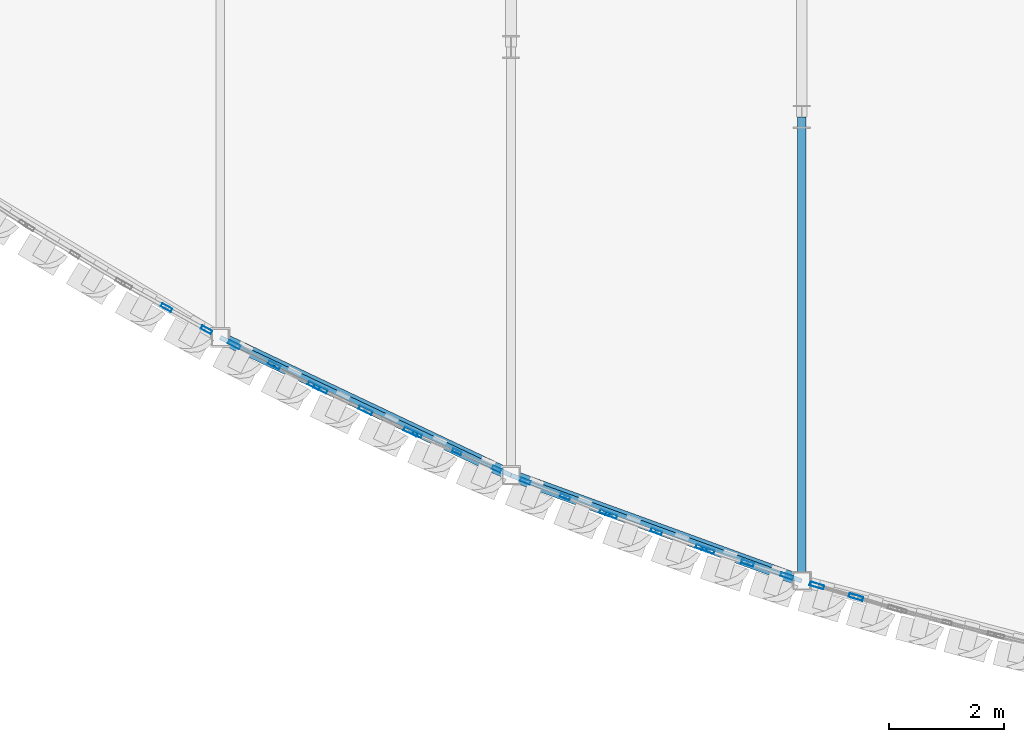
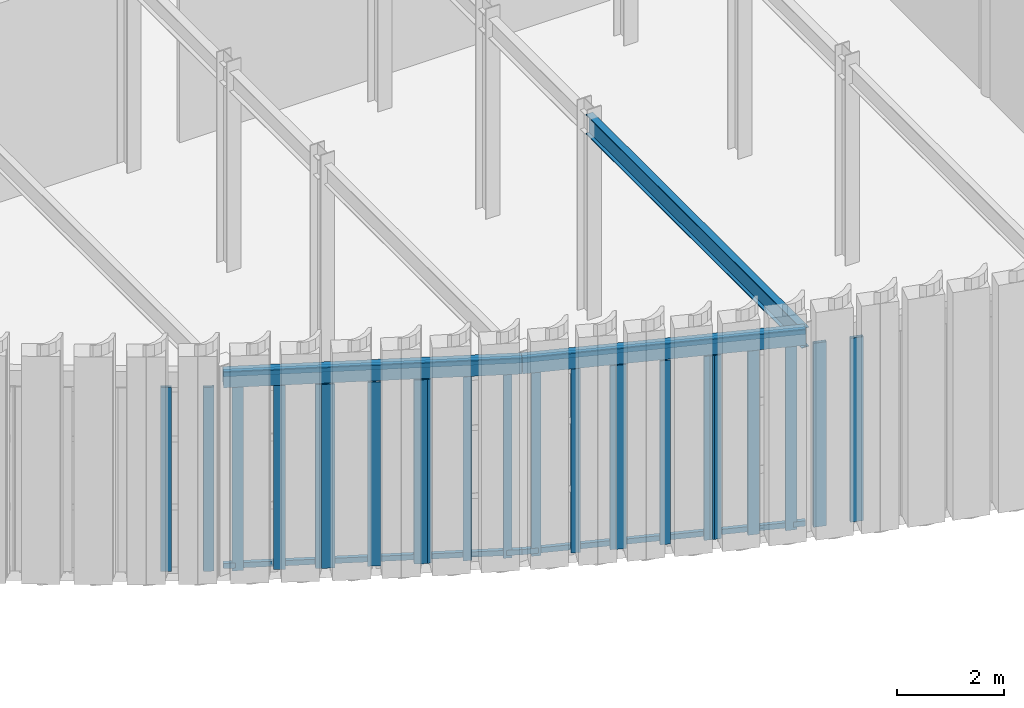
# One storey, part 18 of 126: 26 members, 3 beams, 8 elements without a shape of their own.
"""IFC4 building model written with IfcOpenShell, lengths in metres."""

from ifc_helpers import new_model, si_unit, direction, frame, origin, origin_2d, place, context, subcontext, project, spatial, hollow_rectangle, i_section, extrude, material, layer, layer_set, material_profile, profile_set, type_object, element, aggregate, save


model = new_model("IFC4")

# Units and contexts
model_context = context("Model", 3, precision=1e-05, world=origin(), true_north=direction((0.0, 1.0)))
body_context = subcontext(model_context, "Body", "Model", "MODEL_VIEW")
ifc_project = project(units=[si_unit("LENGTHUNIT", "METRE"), si_unit("AREAUNIT", "SQUARE_METRE"), si_unit("VOLUMEUNIT", "CUBIC_METRE"), si_unit("PLANEANGLEUNIT", "RADIAN"), si_unit("MASSUNIT", "GRAM", prefix="KILO")], contexts=[model_context])

# Site, building, storey
site_placement = place(None, origin())
site = spatial("IfcSite", under=ifc_project, at=site_placement, CompositionType="ELEMENT")
building_placement = place(site_placement, origin())
building = spatial("IfcBuilding", under=site, at=building_placement, Name="Solvadek Multi-Sports Hall", CompositionType="ELEMENT")
storey_placement = place(building_placement, frame((0.0, 0.0, 9.60009765625)))
storey = spatial("IfcBuildingStorey", under=building, at=storey_placement, Name="L02", CompositionType="ELEMENT", Elevation=9.60009765625)

# Curtain wall, members
ifc_material_1 = material(Name="Anodised aluminium", Category="aluminium")
ifc_layer_1 = layer(ifc_material_1, 0.159912109375, Name="Anodised aluminium")
ifc_layer_set_1 = layer_set([ifc_layer_1], Name="Anodised aluminium")
curtain_wall_type_1 = type_object("IfcCurtainWallType", Name="ENV-CW-157X420", PredefinedType="USERDEFINED", material=ifc_layer_set_1)
curtain_wall_1_placement = place(storey_placement, origin())
curtain_wall_1 = element("IfcCurtainWall", 1, at=curtain_wall_1_placement, inside=storey, type_object=curtain_wall_type_1, Name="L02 Crescent Curved Curtain Wall #36", ObjectType="CURTAIN WALL", PredefinedType="USERDEFINED")
ifc_material_profile_1 = material_profile(ifc_material_1, hollow_rectangle(XDim=0.06005859375, YDim=0.159912109375, WallThickness=0.00390625, at=origin_2d()), Name="ALU-M 160x60x4")
ifc_profile_set_1 = profile_set([ifc_material_profile_1], Name="Anodised aluminium")
member_type_1 = type_object("IfcMemberType", Name="ENV-CWM-01", PredefinedType="MULLION", material=ifc_profile_set_1)
member_1_placement = place(storey_placement, frame((55.186279296875, -8.013916015625, 0.0), z_axis=(0.0, 0.0, 1.0), x_axis=(0.399056872581, 0.916926176116, 0.0)))
member_1 = element("IfcMember", 2, at=member_1_placement, type_object=member_type_1, Name="CW-17 mullion 1", PredefinedType="MULLION", context=body_context, shape_type="SweptSolid", body=[
    extrude(hollow_rectangle(XDim=0.06005859375, YDim=0.159912109375, WallThickness=0.00390625, at=origin_2d()), origin(), (0.0, 0.0, 1.0), 4.199951171875),
])
member_2_placement = place(storey_placement, frame((55.87841796875, -8.315185546875, 0.0), z_axis=(0.0, 0.0, 1.0), x_axis=(0.399056872581, 0.916926176116, 0.0)))
member_2 = element("IfcMember", 3, at=member_2_placement, type_object=member_type_1, Name="CW-17 mullion 2", PredefinedType="MULLION", context=body_context, shape_type="SweptSolid", body=[
    extrude(hollow_rectangle(XDim=0.06005859375, YDim=0.159912109375, WallThickness=0.00390625, at=origin_2d()), origin(), (0.0, 0.0, 1.0), 4.199951171875),
])
member_3_placement = place(storey_placement, frame((56.570556640625, -8.616455078125, 0.0), z_axis=(0.0, 0.0, 1.0), x_axis=(0.399056872581, 0.916926176116, 0.0)))
member_3 = element("IfcMember", 4, at=member_3_placement, type_object=member_type_1, Name="CW-17 mullion 3", PredefinedType="MULLION", context=body_context, shape_type="SweptSolid", body=[
    extrude(hollow_rectangle(XDim=0.06005859375, YDim=0.159912109375, WallThickness=0.00390625, at=origin_2d()), origin(), (0.0, 0.0, 1.0), 4.199951171875),
])
aggregate(curtain_wall_1, [member_1, member_2, member_3])

ifc_layer_2 = layer(ifc_material_1, 0.159912109375, Name="Anodised aluminium")
ifc_layer_set_2 = layer_set([ifc_layer_2], Name="Anodised aluminium")
curtain_wall_type_2 = type_object("IfcCurtainWallType", Name="ENV-CW-155X420", PredefinedType="USERDEFINED", material=ifc_layer_set_2)
curtain_wall_2_placement = place(storey_placement, origin())
curtain_wall_2 = element("IfcCurtainWall", 5, at=curtain_wall_2_placement, inside=storey, type_object=curtain_wall_type_2, Name="L02 Crescent Curved Curtain Wall #38", ObjectType="CURTAIN WALL", PredefinedType="USERDEFINED")
ifc_material_profile_2 = material_profile(ifc_material_1, hollow_rectangle(XDim=0.06005859375, YDim=0.179931640625, WallThickness=0.00390625, at=origin_2d()), Name="ALU-M 180x60x4")
ifc_profile_set_2 = profile_set([ifc_material_profile_2], Name="Anodised aluminium")
member_type_2 = type_object("IfcMemberType", Name="ENV-CWM-02", PredefinedType="MULLION", material=ifc_profile_set_2)
member_4_placement = place(storey_placement, frame((57.069091796875, -8.82421875, 0.0), z_axis=(0.0, 0.0, 1.0), x_axis=(0.370163448708, 0.928966641619, 0.0)))
member_4 = element("IfcMember", 6, at=member_4_placement, type_object=member_type_2, Name="CW-18 mullion 1", PredefinedType="MULLION", context=body_context, shape_type="SweptSolid", body=[
    extrude(hollow_rectangle(XDim=0.06005859375, YDim=0.179931640625, WallThickness=0.00390625, at=origin_2d()), origin(), (0.0, 0.0, 1.0), 4.199951171875),
])
member_5_placement = place(storey_placement, frame((57.75927734375, -9.09912109375, 0.0), z_axis=(0.0, 0.0, 1.0), x_axis=(0.370163448708, 0.928966641619, 0.0)))
member_5 = element("IfcMember", 7, at=member_5_placement, type_object=member_type_2, Name="CW-18 mullion 2", PredefinedType="MULLION", context=body_context, shape_type="SweptSolid", body=[
    extrude(hollow_rectangle(XDim=0.06005859375, YDim=0.179931640625, WallThickness=0.00390625, at=origin_2d()), origin(), (0.0, 0.0, 1.0), 4.199951171875),
])
member_6_placement = place(storey_placement, frame((58.44921875, -9.3740234375, 0.0), z_axis=(0.0, 0.0, 1.0), x_axis=(0.370163448708, 0.928966641619, 0.0)))
member_6 = element("IfcMember", 8, at=member_6_placement, type_object=member_type_2, Name="CW-18 mullion 3", PredefinedType="MULLION", context=body_context, shape_type="SweptSolid", body=[
    extrude(hollow_rectangle(XDim=0.06005859375, YDim=0.179931640625, WallThickness=0.00390625, at=origin_2d()), origin(), (0.0, 0.0, 1.0), 4.199951171875),
])
aggregate(curtain_wall_2, [member_4, member_5, member_6])

ifc_layer_3 = layer(ifc_material_1, 0.159912109375, Name="Anodised aluminium")
ifc_layer_set_3 = layer_set([ifc_layer_3], Name="Anodised aluminium")
curtain_wall_type_3 = type_object("IfcCurtainWallType", Name="ENV-CW-166X420", PredefinedType="USERDEFINED", material=ifc_layer_set_3)
curtain_wall_3_placement = place(storey_placement, origin())
curtain_wall_3 = element("IfcCurtainWall", 9, at=curtain_wall_3_placement, inside=storey, type_object=curtain_wall_type_3, Name="L02 Crescent Curved Curtain Wall #30", ObjectType="CURTAIN WALL", PredefinedType="USERDEFINED")
ifc_material_profile_3 = material_profile(ifc_material_1, hollow_rectangle(XDim=0.06494140625, YDim=0.199951171875, WallThickness=0.0048828125, at=origin_2d()), Name="ALU-M 200x65x5")
ifc_profile_set_3 = profile_set([ifc_material_profile_3], Name="Anodised aluminium")
member_type_3 = type_object("IfcMemberType", Name="ENV-CWM-03", PredefinedType="MULLION", material=ifc_profile_set_3)
member_7_placement = place(storey_placement, frame((50.822509765625, -5.803955078125, 0.0), z_axis=(0.0, 0.0, 1.0), x_axis=(0.486005981468, 0.873955482835, 0.0)))
member_7 = element("IfcMember", 10, at=member_7_placement, type_object=member_type_3, Name="CW-14 mullion 2", PredefinedType="MULLION", context=body_context, shape_type="SweptSolid", body=[
    extrude(hollow_rectangle(XDim=0.06494140625, YDim=0.199951171875, WallThickness=0.0048828125, at=origin_2d()), origin(), (0.0, 0.0, 1.0), 4.199951171875),
])
member_8_placement = place(storey_placement, frame((51.51953125, -6.19140625, 0.0), z_axis=(0.0, 0.0, 1.0), x_axis=(0.486005981468, 0.873955482835, 0.0)))
member_8 = element("IfcMember", 11, at=member_8_placement, type_object=member_type_3, Name="CW-14 mullion 3", PredefinedType="MULLION", context=body_context, shape_type="SweptSolid", body=[
    extrude(hollow_rectangle(XDim=0.06494140625, YDim=0.199951171875, WallThickness=0.0048828125, at=origin_2d()), origin(), (0.0, 0.0, 1.0), 4.199951171875),
])
aggregate(curtain_wall_3, [member_7, member_8])

ifc_layer_4 = layer(ifc_material_1, 0.159912109375, Name="Anodised aluminium")
ifc_layer_set_4 = layer_set([ifc_layer_4], Name="Anodised aluminium")
curtain_wall_type_4 = type_object("IfcCurtainWallType", Name="ENV-CW-173X420", PredefinedType="USERDEFINED", material=ifc_layer_set_4)
curtain_wall_4_placement = place(storey_placement, origin())
curtain_wall_4 = element("IfcCurtainWall", 12, at=curtain_wall_4_placement, inside=storey, type_object=curtain_wall_type_4, Name="L02 Crescent Curved Curtain Wall #40", ObjectType="CURTAIN WALL", PredefinedType="USERDEFINED")
member_9_placement = place(storey_placement, frame((58.56396484375, -9.41748046875, 0.0), z_axis=(0.0, 0.0, 1.0), x_axis=(0.341196764651, 0.939991897727, 0.0)))
member_9 = element("IfcMember", 13, at=member_9_placement, type_object=member_type_3, Name="CW-19 mullion 1", PredefinedType="MULLION", context=body_context, shape_type="SweptSolid", body=[
    extrude(hollow_rectangle(XDim=0.06494140625, YDim=0.199951171875, WallThickness=0.0048828125, at=origin_2d()), origin(), (0.0, 0.0, 1.0), 4.199951171875),
])
member_10_placement = place(storey_placement, frame((59.348388671875, -9.702392578125, 0.0), z_axis=(0.0, 0.0, 1.0), x_axis=(0.341196764651, 0.939991897727, 0.0)))
member_10 = element("IfcMember", 14, at=member_10_placement, type_object=member_type_3, Name="CW-19 mullion 2", PredefinedType="MULLION", context=body_context, shape_type="SweptSolid", body=[
    extrude(hollow_rectangle(XDim=0.06494140625, YDim=0.199951171875, WallThickness=0.0048828125, at=origin_2d()), origin(), (0.0, 0.0, 1.0), 4.199951171875),
])
member_11_placement = place(storey_placement, frame((60.133056640625, -9.9873046875, 0.0), z_axis=(0.0, 0.0, 1.0), x_axis=(0.341196764651, 0.939991897727, 0.0)))
member_11 = element("IfcMember", 15, at=member_11_placement, type_object=member_type_3, Name="CW-19 mullion 3", PredefinedType="MULLION", context=body_context, shape_type="SweptSolid", body=[
    extrude(hollow_rectangle(XDim=0.06494140625, YDim=0.199951171875, WallThickness=0.0048828125, at=origin_2d()), origin(), (0.0, 0.0, 1.0), 4.199951171875),
])
aggregate(curtain_wall_4, [member_9, member_10, member_11])

ifc_layer_5 = layer(ifc_material_1, 0.159912109375, Name="Anodised aluminium")
ifc_layer_set_5 = layer_set([ifc_layer_5], Name="Anodised aluminium")
curtain_wall_type_5 = type_object("IfcCurtainWallType", Name="ENV-CW-163X420", PredefinedType="USERDEFINED", material=ifc_layer_set_5)
curtain_wall_5_placement = place(storey_placement, origin())
curtain_wall_5 = element("IfcCurtainWall", 16, at=curtain_wall_5_placement, inside=storey, type_object=curtain_wall_type_5, Name="L02 Crescent Curved Curtain Wall #32", ObjectType="CURTAIN WALL", PredefinedType="USERDEFINED")
ifc_material_profile_4 = material_profile(ifc_material_1, hollow_rectangle(XDim=0.06494140625, YDim=0.219970703125, WallThickness=0.0048828125, at=origin_2d()), Name="ALU-M 220x65x5")
ifc_profile_set_4 = profile_set([ifc_material_profile_4], Name="Anodised aluminium")
member_type_4 = type_object("IfcMemberType", Name="ENV-CWM-04", PredefinedType="MULLION", material=ifc_profile_set_4)
member_12_placement = place(storey_placement, frame((52.0, -6.448486328125, 0.0), z_axis=(0.0, 0.0, 1.0), x_axis=(0.457096561401, 0.889417075143, 0.0)))
member_12 = element("IfcMember", 17, at=member_12_placement, type_object=member_type_4, Name="CW-15 mullion 1", PredefinedType="MULLION", context=body_context, shape_type="SweptSolid", body=[
    extrude(hollow_rectangle(XDim=0.06494140625, YDim=0.219970703125, WallThickness=0.0048828125, at=origin_2d()), origin(), (0.0, 0.0, 1.0), 4.199951171875),
])
member_13_placement = place(storey_placement, frame((52.6943359375, -6.805419921875, 0.0), z_axis=(0.0, 0.0, 1.0), x_axis=(0.457096561401, 0.889417075143, 0.0)))
member_13 = element("IfcMember", 18, at=member_13_placement, type_object=member_type_4, Name="CW-15 mullion 2", PredefinedType="MULLION", context=body_context, shape_type="SweptSolid", body=[
    extrude(hollow_rectangle(XDim=0.06494140625, YDim=0.219970703125, WallThickness=0.0048828125, at=origin_2d()), origin(), (0.0, 0.0, 1.0), 4.199951171875),
])
member_14_placement = place(storey_placement, frame((53.388916015625, -7.162353515625, 0.0), z_axis=(0.0, 0.0, 1.0), x_axis=(0.457096561401, 0.889417075143, 0.0)))
member_14 = element("IfcMember", 19, at=member_14_placement, type_object=member_type_4, Name="CW-15 mullion 3", PredefinedType="MULLION", context=body_context, shape_type="SweptSolid", body=[
    extrude(hollow_rectangle(XDim=0.06494140625, YDim=0.219970703125, WallThickness=0.0048828125, at=origin_2d()), origin(), (0.0, 0.0, 1.0), 4.199951171875),
])
aggregate(curtain_wall_5, [member_12, member_13, member_14])

ifc_layer_6 = layer(ifc_material_1, 0.159912109375, Name="Anodised aluminium")
ifc_layer_set_6 = layer_set([ifc_layer_6], Name="Anodised aluminium")
curtain_wall_type_6 = type_object("IfcCurtainWallType", Name="ENV-CW-151X420", PredefinedType="USERDEFINED", material=ifc_layer_set_6)
curtain_wall_6_placement = place(storey_placement, origin())
curtain_wall_6 = element("IfcCurtainWall", 20, at=curtain_wall_6_placement, inside=storey, type_object=curtain_wall_type_6, Name="L02 Crescent Curved Curtain Wall #42", ObjectType="CURTAIN WALL", PredefinedType="USERDEFINED")
member_15_placement = place(storey_placement, frame((60.251220703125, -10.028076171875, 0.0), z_axis=(0.0, 0.0, 1.0), x_axis=(0.312100192891, 0.950049193251, 0.0)))
member_15 = element("IfcMember", 21, at=member_15_placement, type_object=member_type_4, Name="CW-20 mullion 1", PredefinedType="MULLION", context=body_context, shape_type="SweptSolid", body=[
    extrude(hollow_rectangle(XDim=0.06494140625, YDim=0.219970703125, WallThickness=0.0048828125, at=origin_2d()), origin(), (0.0, 0.0, 1.0), 4.199951171875),
])
member_16_placement = place(storey_placement, frame((60.935546875, -10.2529296875, 0.0), z_axis=(0.0, 0.0, 1.0), x_axis=(0.312100192891, 0.950049193251, 0.0)))
member_16 = element("IfcMember", 22, at=member_16_placement, type_object=member_type_4, Name="CW-20 mullion 2", PredefinedType="MULLION", context=body_context, shape_type="SweptSolid", body=[
    extrude(hollow_rectangle(XDim=0.06494140625, YDim=0.219970703125, WallThickness=0.0048828125, at=origin_2d()), origin(), (0.0, 0.0, 1.0), 4.199951171875),
])
member_17_placement = place(storey_placement, frame((61.619873046875, -10.4775390625, 0.0), z_axis=(0.0, 0.0, 1.0), x_axis=(0.312100192891, 0.950049193251, 0.0)))
member_17 = element("IfcMember", 23, at=member_17_placement, type_object=member_type_4, Name="CW-20 mullion 3", PredefinedType="MULLION", context=body_context, shape_type="SweptSolid", body=[
    extrude(hollow_rectangle(XDim=0.06494140625, YDim=0.219970703125, WallThickness=0.0048828125, at=origin_2d()), origin(), (0.0, 0.0, 1.0), 4.199951171875),
])
aggregate(curtain_wall_6, [member_15, member_16, member_17])

ifc_layer_7 = layer(ifc_material_1, 0.159912109375, Name="Anodised aluminium")
ifc_layer_set_7 = layer_set([ifc_layer_7], Name="Anodised aluminium")
curtain_wall_type_7 = type_object("IfcCurtainWallType", Name="ENV-CW-181X420", PredefinedType="USERDEFINED", material=ifc_layer_set_7)
curtain_wall_7_placement = place(storey_placement, origin())
curtain_wall_7 = element("IfcCurtainWall", 24, at=curtain_wall_7_placement, inside=storey, type_object=curtain_wall_type_7, Name="L02 Crescent Curved Curtain Wall #34", ObjectType="CURTAIN WALL", PredefinedType="USERDEFINED")
ifc_material_profile_5 = material_profile(ifc_material_1, hollow_rectangle(XDim=0.070068359375, YDim=0.25, WallThickness=0.0048828125, at=origin_2d()), Name="ALU-M 250x70x5")
ifc_profile_set_5 = profile_set([ifc_material_profile_5], Name="Anodised aluminium")
member_type_5 = type_object("IfcMemberType", Name="ENV-CWM-05", PredefinedType="MULLION", material=ifc_profile_set_5)
member_18_placement = place(storey_placement, frame((53.503173828125, -7.21875, 0.0), z_axis=(0.0, 0.0, 1.0), x_axis=(0.428160106372, 0.903702895487, 0.0)))
member_18 = element("IfcMember", 25, at=member_18_placement, type_object=member_type_5, Name="CW-16 mullion 1", PredefinedType="MULLION", context=body_context, shape_type="SweptSolid", body=[
    extrude(hollow_rectangle(XDim=0.070068359375, YDim=0.25, WallThickness=0.0048828125, at=origin_2d()), origin(), (0.0, 0.0, 1.0), 4.199951171875),
])
member_19_placement = place(storey_placement, frame((54.287841796875, -7.59033203125, 0.0), z_axis=(0.0, 0.0, 1.0), x_axis=(0.428160106372, 0.903702895487, 0.0)))
member_19 = element("IfcMember", 26, at=member_19_placement, type_object=member_type_5, Name="CW-16 mullion 2", PredefinedType="MULLION", context=body_context, shape_type="SweptSolid", body=[
    extrude(hollow_rectangle(XDim=0.070068359375, YDim=0.25, WallThickness=0.0048828125, at=origin_2d()), origin(), (0.0, 0.0, 1.0), 4.199951171875),
])
member_20_placement = place(storey_placement, frame((55.072509765625, -7.962158203125, 0.0), z_axis=(0.0, 0.0, 1.0), x_axis=(0.428160106372, 0.903702895487, 0.0)))
member_20 = element("IfcMember", 27, at=member_20_placement, type_object=member_type_5, Name="CW-16 mullion 3", PredefinedType="MULLION", context=body_context, shape_type="SweptSolid", body=[
    extrude(hollow_rectangle(XDim=0.070068359375, YDim=0.25, WallThickness=0.0048828125, at=origin_2d()), origin(), (0.0, 0.0, 1.0), 4.199951171875),
])
aggregate(curtain_wall_7, [member_18, member_19, member_20])

ifc_layer_8 = layer(ifc_material_1, 0.159912109375, Name="Anodised aluminium")
ifc_layer_set_8 = layer_set([ifc_layer_8], Name="Anodised aluminium")
curtain_wall_type_8 = type_object("IfcCurtainWallType", Name="ENV-CW-149X420", PredefinedType="USERDEFINED", material=ifc_layer_set_8)
curtain_wall_8_placement = place(storey_placement, origin())
curtain_wall_8 = element("IfcCurtainWall", 28, at=curtain_wall_8_placement, inside=storey, type_object=curtain_wall_type_8, Name="L02 Crescent Curved Curtain Wall #44", ObjectType="CURTAIN WALL", PredefinedType="USERDEFINED")
member_21_placement = place(storey_placement, frame((62.142578125, -10.640625, 0.0), z_axis=(0.0, 0.0, 1.0), x_axis=(0.283173450223, 0.959068713434, 0.0)))
member_21 = element("IfcMember", 29, at=member_21_placement, type_object=member_type_5, Name="CW-21 mullion 1", PredefinedType="MULLION", context=body_context, shape_type="SweptSolid", body=[
    extrude(hollow_rectangle(XDim=0.070068359375, YDim=0.25, WallThickness=0.0048828125, at=origin_2d()), origin(), (0.0, 0.0, 1.0), 4.199951171875),
])
member_22_placement = place(storey_placement, frame((62.822998046875, -10.841552734375, 0.0), z_axis=(0.0, 0.0, 1.0), x_axis=(0.283173450223, 0.959068713434, 0.0)))
member_22 = element("IfcMember", 30, at=member_22_placement, type_object=member_type_5, Name="CW-21 mullion 2", PredefinedType="MULLION", context=body_context, shape_type="SweptSolid", body=[
    extrude(hollow_rectangle(XDim=0.070068359375, YDim=0.25, WallThickness=0.0048828125, at=origin_2d()), origin(), (0.0, 0.0, 1.0), 4.199951171875),
])
aggregate(curtain_wall_8, [member_21, member_22])

# Beams
ifc_material_2 = material(Name="Steel E350 (350 MPa)", Category="steel")
ifc_material_profile_6 = material_profile(ifc_material_2, i_section(OverallWidth=0.14990234375, OverallDepth=0.449951171875, WebThickness=0.009521484375, FlangeThickness=0.017333984375, at=origin_2d()), Name="ISMB 450")
ifc_profile_set_6 = profile_set([ifc_material_profile_6], Name="Steel E350 (350 MPa)")
beam_type_1 = type_object("IfcBeamType", Name="STR-BM-ISMB450", PredefinedType="BEAM", material=ifc_profile_set_6)
beam_1_placement = place(storey_placement, frame((61.87890625, -10.562744140625, 4.3349609375), z_axis=(0.0, 1.0, 0.0), x_axis=(-1.0, 0.0, 0.0)))
element("IfcBeam", 31, at=beam_1_placement, inside=storey, type_object=beam_type_1, Name="L02 Girder B-09 #1536", PredefinedType="BEAM", context=body_context, shape_type="SweptSolid", body=[
    extrude(i_section(OverallWidth=0.14990234375, OverallDepth=0.449951171875, WebThickness=0.009521484375, FlangeThickness=0.017333984375, at=origin_2d()), origin(), (0.0, 0.0, 1.0), 8.079345703125),
])
ifc_material_profile_7 = material_profile(ifc_material_2, hollow_rectangle(XDim=0.199951171875, YDim=0.35009765625, WallThickness=0.011962890625, at=origin_2d()), Name="RHS 350x200x12")
ifc_profile_set_7 = profile_set([ifc_material_profile_7], Name="Steel E350 (350 MPa)")
beam_type_2 = type_object("IfcBeamType", Name="STR-SPN-RHS350", PredefinedType="SPANDREL", material=ifc_profile_set_7)
beam_2_placement = place(storey_placement, frame((51.757568359375, -6.323974609375, 4.40478515625), z_axis=(0.90352737495, -0.428530375489, 0.0), x_axis=(0.428530375489, 0.90352737495, 0.0)))
element("IfcBeam", 32, at=beam_2_placement, inside=storey, type_object=beam_type_2, Name="L02 Curved Crescent Spandrel #63", PredefinedType="SPANDREL", context=body_context, shape_type="SweptSolid", body=[
    extrude(hollow_rectangle(XDim=0.199951171875, YDim=0.35009765625, WallThickness=0.011962890625, at=origin_2d()), origin(), (0.0, 0.0, 1.0), 5.600830078125),
])
beam_3_placement = place(storey_placement, frame((56.818115234375, -8.72412109375, 4.40478515625), z_axis=(0.939892672701, -0.341470004251, 0.0), x_axis=(0.341470004251, 0.939892672701, 0.0)))
element("IfcBeam", 33, at=beam_3_placement, inside=storey, type_object=beam_type_2, Name="L02 Curved Crescent Spandrel #64", PredefinedType="SPANDREL", context=body_context, shape_type="SweptSolid", body=[
    extrude(hollow_rectangle(XDim=0.199951171875, YDim=0.35009765625, WallThickness=0.011962890625, at=origin_2d()), origin(), (0.0, 0.0, 1.0), 5.384521484375),
])

# Members
ifc_material_3 = material(Name="Steel E250 (250 MPa)", Category="steel")
ifc_material_profile_8 = material_profile(ifc_material_3, hollow_rectangle(XDim=0.080078125, YDim=0.1201171875, WallThickness=0.006103515625, at=origin_2d()), Name="RHS 120x80x6")
ifc_profile_set_8 = profile_set([ifc_material_profile_8], Name="Steel E250 (250 MPa)")
member_type_6 = type_object("IfcMemberType", Name="STR-STD-RHS120", PredefinedType="STUD", material=ifc_profile_set_8)
for number, where, z_axis, x_axis, name in (
    (34, (51.757568359375, -6.323974609375, 0.119873046875), (0.90352737495, -0.428530375489, 0.0), (0.428530375489, 0.90352737495, 0.0), "L02 Flute Subframe Rail W-6 bot"),
    (35, (51.757568359375, -6.323974609375, 4.5), (0.90352737495, -0.428530375489, 0.0), (0.428530375489, 0.90352737495, 0.0), "L02 Flute Subframe Rail W-6 top"),
):
    element("IfcMember", number, at=place(storey_placement, frame(where, z_axis=z_axis, x_axis=x_axis)), inside=storey, type_object=member_type_6, Name=name, PredefinedType="STUD", context=body_context, shape_type="SweptSolid", body=[
        extrude(hollow_rectangle(XDim=0.080078125, YDim=0.1201171875, WallThickness=0.006103515625, at=origin_2d()), origin(), (0.0, 0.0, 1.0), 5.600830078125),
    ])
for number, where, z_axis, x_axis, name in (
    (36, (56.818115234375, -8.72412109375, 0.119873046875), (0.939892672701, -0.341470004251, 0.0), (0.341470004251, 0.939892672701, 0.0), "L02 Flute Subframe Rail W-7 bot"),
    (37, (56.818115234375, -8.72412109375, 4.5), (0.939892672701, -0.341470004251, 0.0), (0.341470004251, 0.939892672701, 0.0), "L02 Flute Subframe Rail W-7 top"),
):
    element("IfcMember", number, at=place(storey_placement, frame(where, z_axis=z_axis, x_axis=x_axis)), inside=storey, type_object=member_type_6, Name=name, PredefinedType="STUD", context=body_context, shape_type="SweptSolid", body=[
        extrude(hollow_rectangle(XDim=0.080078125, YDim=0.1201171875, WallThickness=0.006103515625, at=origin_2d()), origin(), (0.0, 0.0, 1.0), 5.384521484375),
    ])

save(model, "model.ifc")
